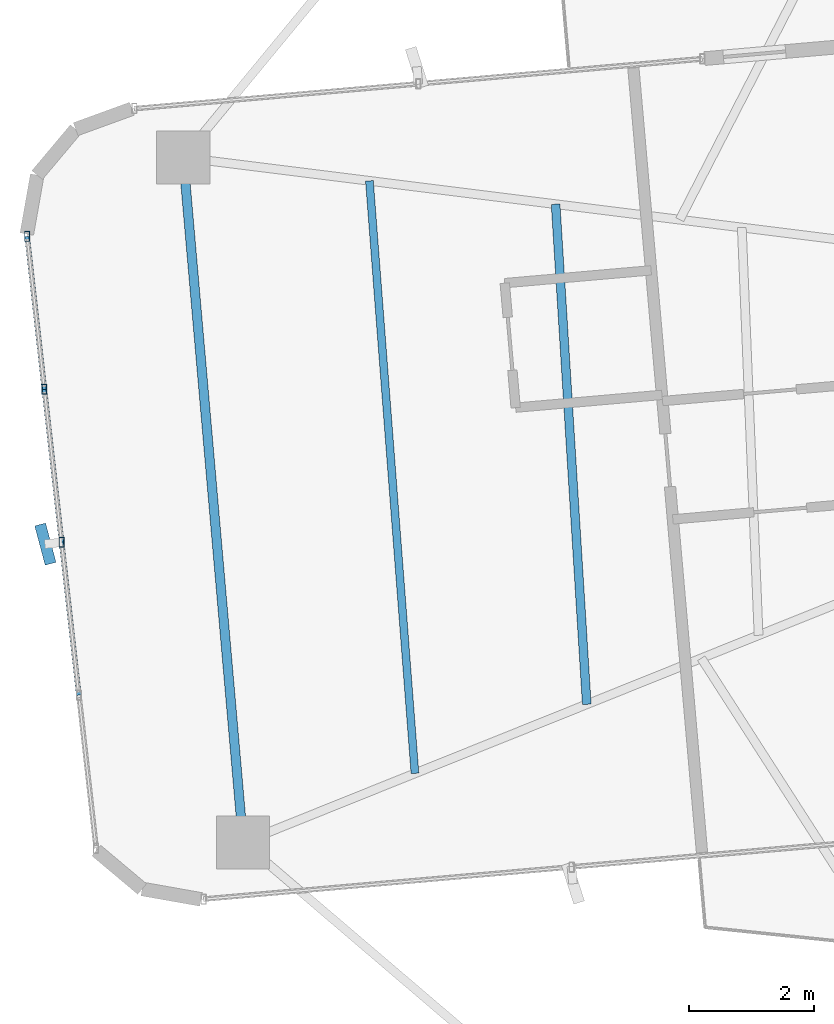
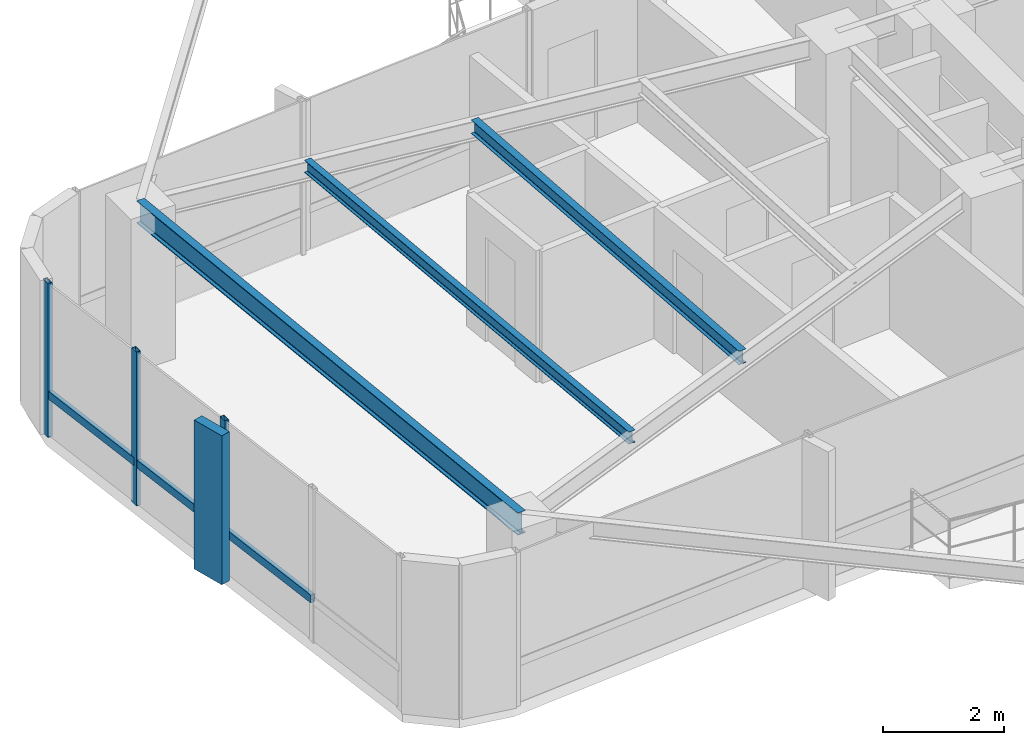
# One storey, part 8 of 24: 7 members, 3 beams, 1 element without a shape of its own.
"""IFC4 building model written with IfcOpenShell, lengths in metres."""

from ifc_helpers import new_model, si_unit, direction, frame, origin, origin_2d, place, context, subcontext, project, spatial, rectangle, hollow_rectangle, i_section, extrude, source, transform, mapped, material, material_profile, profile_set, type_object, element, aggregate, save


model = new_model("IFC4")

# Units and contexts
model_context = context("Model", 3, precision=1e-05, world=origin(), true_north=direction((0.0, 1.0)))
body_context = subcontext(model_context, "Body", "Model", "MODEL_VIEW")
ifc_project = project(units=[si_unit("LENGTHUNIT", "METRE"), si_unit("AREAUNIT", "SQUARE_METRE"), si_unit("VOLUMEUNIT", "CUBIC_METRE"), si_unit("PLANEANGLEUNIT", "RADIAN"), si_unit("MASSUNIT", "GRAM", prefix="KILO")], contexts=[model_context])

# Site, building, storey
site_placement = place(None, origin())
site = spatial("IfcSite", under=ifc_project, at=site_placement, CompositionType="ELEMENT")
building_placement = place(site_placement, origin())
building = spatial("IfcBuilding", under=site, at=building_placement, Name="Sahyath Konkavel Grand Hotel", CompositionType="ELEMENT")
storey_placement = place(building_placement, frame((0.0, 0.0, 157.300048828125)))
storey = spatial("IfcBuildingStorey", under=building, at=storey_placement, Name="L43", CompositionType="ELEMENT", Elevation=157.300048828125)

# Beams
ifc_material_1 = material(Name="Steel E350", Category="steel")
ifc_material_profile_1 = material_profile(ifc_material_1, i_section(OverallWidth=0.14990234375, OverallDepth=0.449951171875, WebThickness=0.009521484375, FlangeThickness=0.017333984375, FilletRadius=0.014892578125, at=origin_2d()), Name="ISMB 450")
ifc_profile_set_1 = profile_set([ifc_material_profile_1], Name="Steel E350")
beam_type_1 = type_object("IfcBeamType", Name="BM-ISMB450", PredefinedType="BEAM", material=ifc_profile_set_1)
shared_shape_1 = source(origin(), body_context, "Body", "SweptSolid", [
    extrude(i_section(OverallWidth=0.14990234375, OverallDepth=0.449951171875, WebThickness=0.009521484375, FlangeThickness=0.017333984375, FilletRadius=0.014892578125, at=origin_2d()), origin(), (0.0, 0.0, 1.0), 11.0),
])
beam_1_placement = place(storey_placement, frame((-17.912841796875, 3.953857421875, 2.885009765625), z_axis=(0.087157314015, -0.996194560622, 0.0), x_axis=(0.996194560622, 0.087157314015, 0.0)))
element("IfcBeam", 1, at=beam_1_placement, inside=storey, type_object=beam_type_1, Name="L43 Wing Tip Edge Beam W", PredefinedType="BEAM", context=body_context, shape_type="MappedRepresentation", body=[
    mapped(shared_shape_1, transform((0.0, 0.0, 0.0), scale=1.0)),
])
ifc_material_profile_2 = material_profile(ifc_material_1, i_section(OverallWidth=0.139892578125, OverallDepth=0.27490234375, WebThickness=0.00634765625, FlangeThickness=0.0087890625, FilletRadius=0.012939453125, at=origin_2d()), Name="ISLB 275")
ifc_profile_set_2 = profile_set([ifc_material_profile_2], Name="Steel E350")
beam_type_2 = type_object("IfcBeamType", Name="BM-ISLB275", PredefinedType="BEAM", material=ifc_profile_set_2)
shared_shape_2 = source(origin(), body_context, "Body", "SweptSolid", [
    extrude(i_section(OverallWidth=0.139892578125, OverallDepth=0.27490234375, WebThickness=0.00634765625, FlangeThickness=0.0087890625, FilletRadius=0.012939453125, at=origin_2d()), origin(), (0.0, 0.0, 1.0), 8.017822265625),
])
beam_2_placement = place(storey_placement, frame((-11.95458984375, 3.2080078125, 2.972412109375), z_axis=(0.062179233264, -0.998064999362, 0.0), x_axis=(0.998064999362, 0.062179233264, 0.0)))
element("IfcBeam", 2, at=beam_2_placement, inside=storey, type_object=beam_type_2, Name="L43 Secondary Floor Beam W-2", PredefinedType="BEAM", context=body_context, shape_type="MappedRepresentation", body=[
    mapped(shared_shape_2, transform((0.0, 0.0, 0.0), scale=1.0)),
])
ifc_material_profile_3 = material_profile(ifc_material_1, i_section(OverallWidth=0.125, OverallDepth=0.25, WebThickness=0.0068359375, FlangeThickness=0.012451171875, FilletRadius=0.012939453125, at=origin_2d()), Name="ISMB 250")
ifc_profile_set_3 = profile_set([ifc_material_profile_3], Name="Steel E350")
beam_type_3 = type_object("IfcBeamType", Name="BM-ISMB250", PredefinedType="BEAM", material=ifc_profile_set_3)
shared_shape_3 = source(origin(), body_context, "Body", "SweptSolid", [
    extrude(i_section(OverallWidth=0.125, OverallDepth=0.25, WebThickness=0.0068359375, FlangeThickness=0.012451171875, FilletRadius=0.012939453125, at=origin_2d()), origin(), (0.0, 0.0, 1.0), 9.508056640625),
])
beam_3_placement = place(storey_placement, frame((-14.93359375, 3.580810546875, 2.98486328125), z_axis=(0.076619921029, -0.997060373148, 0.0), x_axis=(0.997060373148, 0.076619921029, 0.0)))
element("IfcBeam", 3, at=beam_3_placement, inside=storey, type_object=beam_type_3, Name="L43 Secondary Floor Beam W-3", PredefinedType="BEAM", context=body_context, shape_type="MappedRepresentation", body=[
    mapped(shared_shape_3, transform((0.0, 0.0, 0.0), scale=1.0)),
])

# Curtain wall, members
ifc_material_2 = material(Name="Anodised Bronze Aluminium & Low-E Glazing", Category="aluminium")
curtain_wall_type = type_object("IfcCurtainWallType", Name="CW-ZONE3", PredefinedType="NOTDEFINED", material=ifc_material_2)
curtain_wall_placement = place(storey_placement, origin())
curtain_wall = element("IfcCurtainWall", 4, at=curtain_wall_placement, inside=storey, type_object=curtain_wall_type, Name="L43 Unitised Curtain Wall F20", PredefinedType="NOTDEFINED")
ifc_material_3 = material(Name="Anodised Bronze Aluminium", Category="aluminium")
ifc_material_profile_4 = material_profile(ifc_material_3, hollow_rectangle(XDim=0.080078125, YDim=0.159912109375, WallThickness=0.006103515625, at=origin_2d()), Name="RHS 160x80x6")
ifc_profile_set_4 = profile_set([ifc_material_profile_4], Name="Anodised Bronze Aluminium")
member_type_1 = type_object("IfcMemberType", Name="CW-MUL-160", PredefinedType="MULLION", material=ifc_profile_set_4)
shared_shape_4 = source(origin(), body_context, "Body", "SweptSolid", [
    extrude(hollow_rectangle(XDim=0.080078125, YDim=0.159912109375, WallThickness=0.006103515625, at=origin_2d()), origin(), (0.0, 0.0, 1.0), 3.10986328125),
])
member_1_placement = place(storey_placement, frame((-20.4111328125, 2.69140625, 0.0), z_axis=(0.0, 0.0, 1.0), x_axis=(1.0, 0.0, 0.0)))
member_1 = element("IfcMember", 5, at=member_1_placement, type_object=member_type_1, Name="L43 Curtain Wall Mullion F20-0", PredefinedType="MULLION", context=body_context, shape_type="MappedRepresentation", body=[
    mapped(shared_shape_4, transform((0.0, 0.0, 0.0), scale=1.0)),
])
member_2_placement = place(storey_placement, frame((-20.135498046875, 0.24462890625, 0.0), z_axis=(0.0, 0.0, 1.0), x_axis=(1.0, 0.0, 0.0)))
member_2 = element("IfcMember", 6, at=member_2_placement, type_object=member_type_1, Name="L43 Curtain Wall Mullion F20-1", PredefinedType="MULLION", context=body_context, shape_type="MappedRepresentation", body=[
    mapped(shared_shape_4, transform((0.0, 0.0, 0.0), scale=1.0)),
])
member_3_placement = place(storey_placement, frame((-19.859619140625, -2.201904296875, 0.0), z_axis=(0.0, 0.0, 1.0), x_axis=(1.0, 0.0, 0.0)))
member_3 = element("IfcMember", 7, at=member_3_placement, type_object=member_type_1, Name="L43 Curtain Wall Mullion F20-2", PredefinedType="MULLION", context=body_context, shape_type="MappedRepresentation", body=[
    mapped(shared_shape_4, transform((0.0, 0.0, 0.0), scale=1.0)),
])
ifc_material_4 = material(Name="Warm Buff Sandstone Cladding on Concrete C50/60", Category="masonry")
ifc_material_profile_5 = material_profile(ifc_material_4, rectangle(XDim=0.179931640625, YDim=0.64990234375, at=origin_2d()), Name="FIN 180x650")
ifc_profile_set_5 = profile_set([ifc_material_profile_5], Name="Warm Buff Sandstone Cladding on Concrete C50/60")
member_type_2 = type_object("IfcMemberType", Name="FIN-SANDSTONE-650", PredefinedType="MULLION", material=ifc_profile_set_5)
shared_shape_5 = source(origin(), body_context, "Body", "SweptSolid", [
    extrude(rectangle(XDim=0.179931640625, YDim=0.64990234375, at=origin_2d()), origin(), (0.0, 0.0, 1.0), 3.010009765625),
])
member_4_placement = place(storey_placement, frame((-20.1181640625, -2.23095703125, 0.050048828125), z_axis=(0.0, 0.0, 1.0), x_axis=(0.966420942741, 0.256964124795, 0.0)))
member_4 = element("IfcMember", 8, at=member_4_placement, type_object=member_type_2, Name="L43 Sandstone Vertical Solar Fin FIN F20-2", PredefinedType="MULLION", context=body_context, shape_type="MappedRepresentation", body=[
    mapped(shared_shape_5, transform((0.0, 0.0, 0.0), scale=1.0)),
])
ifc_material_profile_6 = material_profile(ifc_material_3, hollow_rectangle(XDim=0.080078125, YDim=0.159912109375, WallThickness=0.006103515625, at=origin_2d()), Name="RHS 160x80x6")
ifc_profile_set_6 = profile_set([ifc_material_profile_6], Name="Anodised Bronze Aluminium")
member_type_3 = type_object("IfcMemberType", Name="CW-TRN-160", PredefinedType="USERDEFINED", material=ifc_profile_set_6)
shared_shape_6 = source(origin(), body_context, "Body", "SweptSolid", [
    extrude(hollow_rectangle(XDim=0.080078125, YDim=0.159912109375, WallThickness=0.006103515625, at=origin_2d()), origin(), (0.0, 0.0, 1.0), 2.462158203125),
])
member_5_placement = place(storey_placement, frame((-20.4111328125, 2.69140625, 0.849853515625), z_axis=(0.11194409079, -0.993714506555, 0.0), x_axis=(0.993714506555, 0.11194409079, 0.0)))
member_5 = element("IfcMember", 9, at=member_5_placement, type_object=member_type_3, Name="L43 Curtain Wall Transom F20-0-spandrel", ObjectType="TRANSOM", PredefinedType="USERDEFINED", context=body_context, shape_type="MappedRepresentation", body=[
    mapped(shared_shape_6, transform((0.0, 0.0, 0.0), scale=1.0)),
])
member_6_placement = place(storey_placement, frame((-20.135498046875, 0.24462890625, 0.849853515625), z_axis=(0.112053040279, -0.99370222711, 0.0), x_axis=(0.99370222711, 0.112053040279, 0.0)))
member_6 = element("IfcMember", 10, at=member_6_placement, type_object=member_type_3, Name="L43 Curtain Wall Transom F20-1-spandrel", ObjectType="TRANSOM", PredefinedType="USERDEFINED", context=body_context, shape_type="MappedRepresentation", body=[
    mapped(shared_shape_6, transform((0.0, 0.0, 0.0), scale=1.0)),
])
shared_shape_7 = source(origin(), body_context, "Body", "SweptSolid", [
    extrude(hollow_rectangle(XDim=0.080078125, YDim=0.159912109375, WallThickness=0.006103515625, at=origin_2d()), origin(), (0.0, 0.0, 1.0), 2.461669921875),
])
member_7_placement = place(storey_placement, frame((-19.859619140625, -2.201904296875, 0.849853515625), z_axis=(0.111966154832, -0.993712020744, 0.0), x_axis=(0.993712020744, 0.111966154832, 0.0)))
member_7 = element("IfcMember", 11, at=member_7_placement, type_object=member_type_3, Name="L43 Curtain Wall Transom F20-2-spandrel", ObjectType="TRANSOM", PredefinedType="USERDEFINED", context=body_context, shape_type="MappedRepresentation", body=[
    mapped(shared_shape_7, transform((0.0, 0.0, 0.0), scale=1.0)),
])
aggregate(curtain_wall, [member_1, member_2, member_3, member_4, member_5, member_6, member_7])

save(model, "model.ifc")
